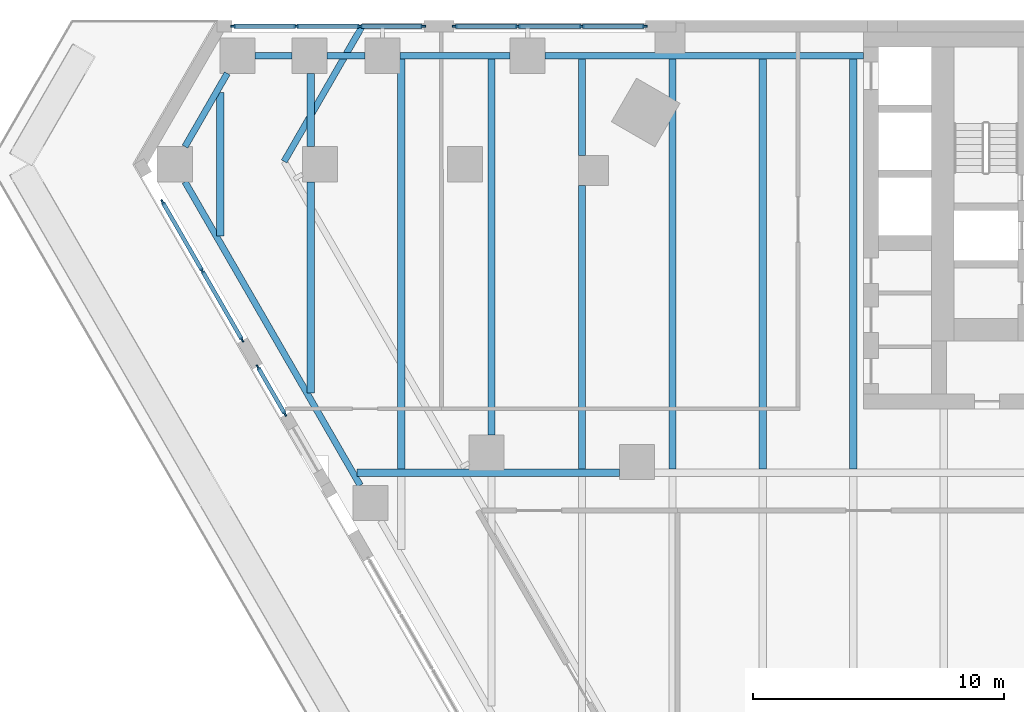
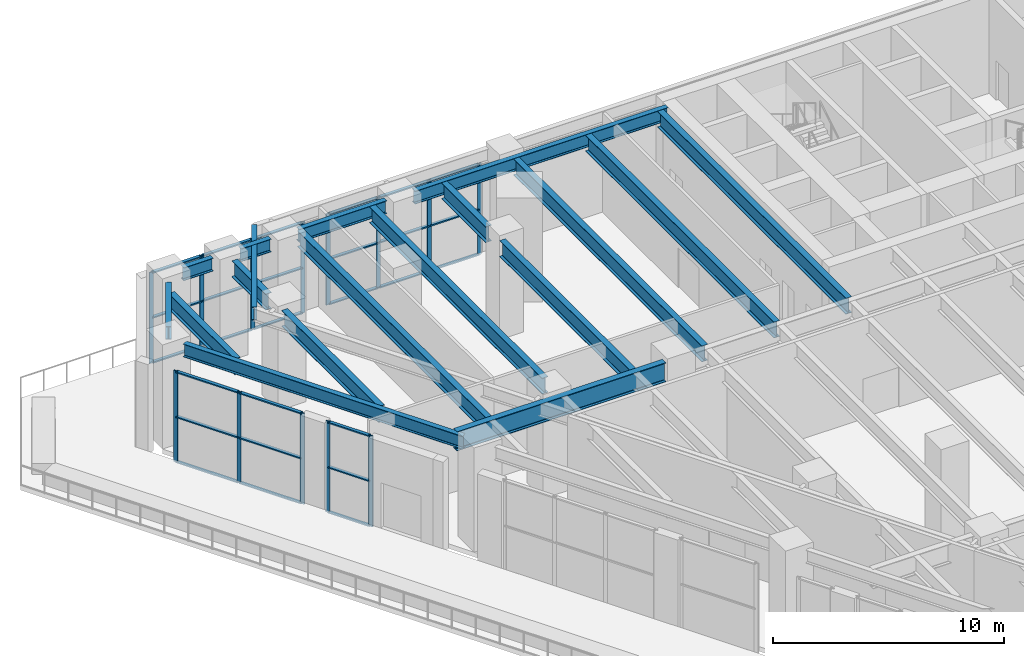
# One storey, part 11 of 30: 40 members, 18 beams, 4 elements without a shape of their own.
"""IFC4 building model written with IfcOpenShell, lengths in metres."""

from ifc_helpers import new_model, si_unit, direction, frame, origin, origin_2d, place, context, subcontext, project, spatial, rectangle, i_section, extrude, material, material_profile, profile_set, type_object, element, aggregate, save


model = new_model("IFC4")

# Units and contexts
model_context = context("Model", 3, precision=1e-05, world=origin(), true_north=direction((0.0, 1.0)))
body_context = subcontext(model_context, "Body", "Model", "MODEL_VIEW")
ifc_project = project(units=[si_unit("LENGTHUNIT", "METRE"), si_unit("AREAUNIT", "SQUARE_METRE"), si_unit("VOLUMEUNIT", "CUBIC_METRE"), si_unit("PLANEANGLEUNIT", "RADIAN"), si_unit("MASSUNIT", "GRAM", prefix="KILO")], contexts=[model_context])

# Site, building, storey
site_placement = place(None, origin())
site = spatial("IfcSite", under=ifc_project, at=site_placement, CompositionType="ELEMENT")
building_placement = place(site_placement, origin())
building = spatial("IfcBuilding", under=site, at=building_placement, Name="Aloe Facet Convention Tower", CompositionType="ELEMENT")
storey_placement = place(building_placement, frame((0.0, 0.0, 19.5)))
storey = spatial("IfcBuildingStorey", under=building, at=storey_placement, Name="L03", CompositionType="ELEMENT", Elevation=19.5)

# Beam
ifc_material_1 = material(Name="Steel S355", Category="steel")
ifc_material_profile_1 = material_profile(ifc_material_1, i_section(OverallWidth=0.25439453125, OverallDepth=0.6875, WebThickness=0.01318359375, FlangeThickness=0.02099609375, FilletRadius=0.01513671875, at=origin_2d()), Name="UB 686x254x152")
ifc_profile_set_1 = profile_set([ifc_material_profile_1], Name="Steel S355")
beam_type_1 = type_object("IfcBeamType", Name="EV-EB-UB686x254x152", PredefinedType="BEAM", material=ifc_profile_set_1)
beam_1_placement = place(storey_placement, frame((46.052978515625, 134.77490234375, 4.90625), z_axis=(-0.499986758824, -0.866033048446, 0.0), x_axis=(0.866033048446, -0.499986758824, 0.0)))
element("IfcBeam", 1, at=beam_1_placement, inside=storey, type_object=beam_type_1, Name="EB-L04-A", PredefinedType="BEAM", context=body_context, shape_type="SweptSolid", body=[
    extrude(i_section(OverallWidth=0.25439453125, OverallDepth=0.6875, WebThickness=0.01318359375, FlangeThickness=0.02099609375, FilletRadius=0.01513671875, at=origin_2d()), origin(), (0.0, 0.0, 1.0), 6.210205078125),
])

# Curtain wall, members
ifc_material_2 = material(Name="Aluminium, anodised", Category="aluminium")
curtain_wall_type = type_object("IfcCurtainWallType", Name="EV-CW-HALL", PredefinedType="USERDEFINED", material=ifc_material_2)
curtain_wall_1_placement = place(storey_placement, origin())
curtain_wall_1 = element("IfcCurtainWall", 2, at=curtain_wall_1_placement, inside=storey, type_object=curtain_wall_type, Name="CW-L03-N16", ObjectType="UNITISED HALL GLAZING", PredefinedType="USERDEFINED")
ifc_material_3 = material(Name="Aluminium, anodised", Category="aluminium")
ifc_material_profile_2 = material_profile(ifc_material_3, rectangle(XDim=0.06494140625, YDim=0.199951171875, at=origin_2d()), Name="AL 65x200")
ifc_profile_set_2 = profile_set([ifc_material_profile_2], Name="Aluminium, anodised")
member_type_1 = type_object("IfcMemberType", Name="EV-MULL-HALL", PredefinedType="MULLION", material=ifc_profile_set_2)
member_1_placement = place(storey_placement, frame((57.300537109375, 134.77490234375, -0.25), z_axis=(0.0, 0.0, 1.0), x_axis=(0.0, -1.0, 0.0)))
member_1 = element("IfcMember", 3, at=member_1_placement, type_object=member_type_1, Name="CW-L03-N16 mullion 1", PredefinedType="MULLION", context=body_context, shape_type="SweptSolid", body=[
    extrude(rectangle(XDim=0.06494140625, YDim=0.199951171875, at=origin_2d()), origin(), (0.0, 0.0, 1.0), 4.8125),
])
member_2_placement = place(storey_placement, frame((54.790771484375, 134.77490234375, -0.25), z_axis=(0.0, 0.0, 1.0), x_axis=(0.0, -1.0, 0.0)))
member_2 = element("IfcMember", 4, at=member_2_placement, type_object=member_type_1, Name="CW-L03-N16 mullion 2", PredefinedType="MULLION", context=body_context, shape_type="SweptSolid", body=[
    extrude(rectangle(XDim=0.06494140625, YDim=0.199951171875, at=origin_2d()), origin(), (0.0, 0.0, 1.0), 4.8125),
])
member_3_placement = place(storey_placement, frame((52.24853515625, 134.77490234375, -0.25), z_axis=(0.0, 0.0, 1.0), x_axis=(0.0, -1.0, 0.0)))
member_3 = element("IfcMember", 5, at=member_3_placement, type_object=member_type_1, Name="CW-L03-N16 mullion 3", PredefinedType="MULLION", context=body_context, shape_type="SweptSolid", body=[
    extrude(rectangle(XDim=0.06494140625, YDim=0.199951171875, at=origin_2d()), origin(), (0.0, 0.0, 1.0), 4.8125),
])
member_4_placement = place(storey_placement, frame((49.73876953125, 134.77490234375, -0.25), z_axis=(0.0, 0.0, 1.0), x_axis=(0.0, -1.0, 0.0)))
member_4 = element("IfcMember", 6, at=member_4_placement, type_object=member_type_1, Name="CW-L03-N16 mullion 4", PredefinedType="MULLION", context=body_context, shape_type="SweptSolid", body=[
    extrude(rectangle(XDim=0.06494140625, YDim=0.199951171875, at=origin_2d()), origin(), (0.0, 0.0, 1.0), 4.8125),
])

curtain_wall_2_placement = place(storey_placement, origin())
curtain_wall_2 = element("IfcCurtainWall", 7, at=curtain_wall_2_placement, inside=storey, type_object=curtain_wall_type, Name="CW-L03-N18", ObjectType="UNITISED HALL GLAZING", PredefinedType="USERDEFINED")
member_5_placement = place(storey_placement, frame((48.473876953125, 134.77490234375, -0.25), z_axis=(0.0, 0.0, 1.0), x_axis=(0.0, -1.0, 0.0)))
member_5 = element("IfcMember", 8, at=member_5_placement, type_object=member_type_1, Name="CW-L03-N18 mullion 1", PredefinedType="MULLION", context=body_context, shape_type="SweptSolid", body=[
    extrude(rectangle(XDim=0.06494140625, YDim=0.199951171875, at=origin_2d()), origin(), (0.0, 0.0, 1.0), 4.8125),
])
member_6_placement = place(storey_placement, frame((45.964111328125, 134.77490234375, -0.25), z_axis=(0.0, 0.0, 1.0), x_axis=(0.0, -1.0, 0.0)))
member_6 = element("IfcMember", 9, at=member_6_placement, type_object=member_type_1, Name="CW-L03-N18 mullion 2", PredefinedType="MULLION", context=body_context, shape_type="SweptSolid", body=[
    extrude(rectangle(XDim=0.06494140625, YDim=0.199951171875, at=origin_2d()), origin(), (0.0, 0.0, 1.0), 4.8125),
])
member_7_placement = place(storey_placement, frame((43.421630859375, 134.77490234375, -0.25), z_axis=(0.0, 0.0, 1.0), x_axis=(0.0, -1.0, 0.0)))
member_7 = element("IfcMember", 10, at=member_7_placement, type_object=member_type_1, Name="CW-L03-N18 mullion 3", PredefinedType="MULLION", context=body_context, shape_type="SweptSolid", body=[
    extrude(rectangle(XDim=0.06494140625, YDim=0.199951171875, at=origin_2d()), origin(), (0.0, 0.0, 1.0), 4.8125),
])
member_8_placement = place(storey_placement, frame((40.912109375, 134.77490234375, -0.25), z_axis=(0.0, 0.0, 1.0), x_axis=(0.0, -1.0, 0.0)))
member_8 = element("IfcMember", 11, at=member_8_placement, type_object=member_type_1, Name="CW-L03-N18 mullion 4", PredefinedType="MULLION", context=body_context, shape_type="SweptSolid", body=[
    extrude(rectangle(XDim=0.06494140625, YDim=0.199951171875, at=origin_2d()), origin(), (0.0, 0.0, 1.0), 4.8125),
])

curtain_wall_3_placement = place(storey_placement, origin())
curtain_wall_3 = element("IfcCurtainWall", 12, at=curtain_wall_3_placement, inside=storey, type_object=curtain_wall_type, Name="CW-L03-W02", ObjectType="UNITISED HALL GLAZING", PredefinedType="USERDEFINED")
member_9_placement = place(storey_placement, frame((38.107177734375, 127.78125, -0.25), z_axis=(0.0, 0.0, 1.0), x_axis=(0.866025403846, 0.499999999894, 0.0)))
member_9 = element("IfcMember", 13, at=member_9_placement, type_object=member_type_1, Name="CW-L03-W02 mullion 1", PredefinedType="MULLION", context=body_context, shape_type="SweptSolid", body=[
    extrude(rectangle(XDim=0.06494140625, YDim=0.199951171875, at=origin_2d()), origin(), (0.0, 0.0, 1.0), 4.8125),
])
member_10_placement = place(storey_placement, frame((39.689208984375, 125.040771484375, -0.25), z_axis=(0.0, 0.0, 1.0), x_axis=(0.866025403846, 0.499999999894, 0.0)))
member_10 = element("IfcMember", 14, at=member_10_placement, type_object=member_type_1, Name="CW-L03-W02 mullion 2", PredefinedType="MULLION", context=body_context, shape_type="SweptSolid", body=[
    extrude(rectangle(XDim=0.06494140625, YDim=0.199951171875, at=origin_2d()), origin(), (0.0, 0.0, 1.0), 4.8125),
])
member_11_placement = place(storey_placement, frame((41.271484375, 122.30029296875, -0.25), z_axis=(0.0, 0.0, 1.0), x_axis=(0.866025403846, 0.499999999894, 0.0)))
member_11 = element("IfcMember", 15, at=member_11_placement, type_object=member_type_1, Name="CW-L03-W02 mullion 3", PredefinedType="MULLION", context=body_context, shape_type="SweptSolid", body=[
    extrude(rectangle(XDim=0.06494140625, YDim=0.199951171875, at=origin_2d()), origin(), (0.0, 0.0, 1.0), 4.8125),
])

curtain_wall_4_placement = place(storey_placement, origin())
curtain_wall_4 = element("IfcCurtainWall", 16, at=curtain_wall_4_placement, inside=storey, type_object=curtain_wall_type, Name="CW-L03-W04A", ObjectType="UNITISED HALL GLAZING", PredefinedType="USERDEFINED")
member_12_placement = place(storey_placement, frame((41.904052734375, 121.204833984375, -0.25), z_axis=(0.0, 0.0, 1.0), x_axis=(0.866025403767, 0.50000000003, 0.0)))
member_12 = element("IfcMember", 17, at=member_12_placement, type_object=member_type_1, Name="CW-L03-W04A mullion 1", PredefinedType="MULLION", context=body_context, shape_type="SweptSolid", body=[
    extrude(rectangle(XDim=0.06494140625, YDim=0.199951171875, at=origin_2d()), origin(), (0.0, 0.0, 1.0), 4.8125),
])
member_13_placement = place(storey_placement, frame((42.978271484375, 119.34423828125, -0.25), z_axis=(0.0, 0.0, 1.0), x_axis=(0.866025403767, 0.50000000003, 0.0)))
member_13 = element("IfcMember", 18, at=member_13_placement, type_object=member_type_1, Name="CW-L03-W04A mullion 2", PredefinedType="MULLION", context=body_context, shape_type="SweptSolid", body=[
    extrude(rectangle(XDim=0.06494140625, YDim=0.199951171875, at=origin_2d()), origin(), (0.0, 0.0, 1.0), 4.8125),
])

# Member
ifc_material_4 = material(Name="Aluminium, anodised", Category="aluminium")
ifc_material_profile_3 = material_profile(ifc_material_4, rectangle(XDim=0.159912109375, YDim=0.06494140625, at=origin_2d()), Name="AL 160x65")
ifc_profile_set_3 = profile_set([ifc_material_profile_3], Name="Aluminium, anodised")
member_type_2 = type_object("IfcMemberType", Name="EV-TRAN-HALL", PredefinedType="USERDEFINED", material=ifc_profile_set_3)
member_14_placement = place(storey_placement, frame((57.26806640625, 134.77490234375, -0.217529296875), z_axis=(-1.0, 0.0, 0.0), x_axis=(0.0, -1.0, 0.0)))
member_14 = element("IfcMember", 19, at=member_14_placement, type_object=member_type_2, Name="CW-L03-N16 transom 1.1", ObjectType="TRANSOM", PredefinedType="USERDEFINED", context=body_context, shape_type="SweptSolid", body=[
    extrude(rectangle(XDim=0.159912109375, YDim=0.06494140625, at=origin_2d()), origin(), (0.0, 0.0, 1.0), 2.44482421875),
])

member_15_placement = place(storey_placement, frame((57.26806640625, 134.77490234375, 2.15625), z_axis=(-1.0, 0.0, 0.0), x_axis=(0.0, -1.0, 0.0)))
member_15 = element("IfcMember", 20, at=member_15_placement, type_object=member_type_2, Name="CW-L03-N16 transom 1.2", ObjectType="TRANSOM", PredefinedType="USERDEFINED", context=body_context, shape_type="SweptSolid", body=[
    extrude(rectangle(XDim=0.159912109375, YDim=0.06494140625, at=origin_2d()), origin(), (0.0, 0.0, 1.0), 2.44482421875),
])

member_16_placement = place(storey_placement, frame((57.26806640625, 134.77490234375, 4.530029296875), z_axis=(-1.0, 0.0, 0.0), x_axis=(0.0, -1.0, 0.0)))
member_16 = element("IfcMember", 21, at=member_16_placement, type_object=member_type_2, Name="CW-L03-N16 transom 1.3", ObjectType="TRANSOM", PredefinedType="USERDEFINED", context=body_context, shape_type="SweptSolid", body=[
    extrude(rectangle(XDim=0.159912109375, YDim=0.06494140625, at=origin_2d()), origin(), (0.0, 0.0, 1.0), 2.44482421875),
])

member_17_placement = place(storey_placement, frame((54.75830078125, 134.77490234375, -0.217529296875), z_axis=(-1.0, 0.0, 0.0), x_axis=(0.0, -1.0, 0.0)))
member_17 = element("IfcMember", 22, at=member_17_placement, type_object=member_type_2, Name="CW-L03-N16 transom 2.1", ObjectType="TRANSOM", PredefinedType="USERDEFINED", context=body_context, shape_type="SweptSolid", body=[
    extrude(rectangle(XDim=0.159912109375, YDim=0.06494140625, at=origin_2d()), origin(), (0.0, 0.0, 1.0), 2.477294921875),
])

member_18_placement = place(storey_placement, frame((54.75830078125, 134.77490234375, 2.15625), z_axis=(-1.0, 0.0, 0.0), x_axis=(0.0, -1.0, 0.0)))
member_18 = element("IfcMember", 23, at=member_18_placement, type_object=member_type_2, Name="CW-L03-N16 transom 2.2", ObjectType="TRANSOM", PredefinedType="USERDEFINED", context=body_context, shape_type="SweptSolid", body=[
    extrude(rectangle(XDim=0.159912109375, YDim=0.06494140625, at=origin_2d()), origin(), (0.0, 0.0, 1.0), 2.477294921875),
])

member_19_placement = place(storey_placement, frame((54.75830078125, 134.77490234375, 4.530029296875), z_axis=(-1.0, 0.0, 0.0), x_axis=(0.0, -1.0, 0.0)))
member_19 = element("IfcMember", 24, at=member_19_placement, type_object=member_type_2, Name="CW-L03-N16 transom 2.3", ObjectType="TRANSOM", PredefinedType="USERDEFINED", context=body_context, shape_type="SweptSolid", body=[
    extrude(rectangle(XDim=0.159912109375, YDim=0.06494140625, at=origin_2d()), origin(), (0.0, 0.0, 1.0), 2.477294921875),
])

member_20_placement = place(storey_placement, frame((52.216064453125, 134.77490234375, -0.217529296875), z_axis=(-1.0, 0.0, 0.0), x_axis=(0.0, -1.0, 0.0)))
member_20 = element("IfcMember", 25, at=member_20_placement, type_object=member_type_2, Name="CW-L03-N16 transom 3.1", ObjectType="TRANSOM", PredefinedType="USERDEFINED", context=body_context, shape_type="SweptSolid", body=[
    extrude(rectangle(XDim=0.159912109375, YDim=0.06494140625, at=origin_2d()), origin(), (0.0, 0.0, 1.0), 2.44482421875),
])

member_21_placement = place(storey_placement, frame((52.216064453125, 134.77490234375, 2.15625), z_axis=(-1.0, 0.0, 0.0), x_axis=(0.0, -1.0, 0.0)))
member_21 = element("IfcMember", 26, at=member_21_placement, type_object=member_type_2, Name="CW-L03-N16 transom 3.2", ObjectType="TRANSOM", PredefinedType="USERDEFINED", context=body_context, shape_type="SweptSolid", body=[
    extrude(rectangle(XDim=0.159912109375, YDim=0.06494140625, at=origin_2d()), origin(), (0.0, 0.0, 1.0), 2.44482421875),
])

member_22_placement = place(storey_placement, frame((52.216064453125, 134.77490234375, 4.530029296875), z_axis=(-1.0, 0.0, 0.0), x_axis=(0.0, -1.0, 0.0)))
member_22 = element("IfcMember", 27, at=member_22_placement, type_object=member_type_2, Name="CW-L03-N16 transom 3.3", ObjectType="TRANSOM", PredefinedType="USERDEFINED", context=body_context, shape_type="SweptSolid", body=[
    extrude(rectangle(XDim=0.159912109375, YDim=0.06494140625, at=origin_2d()), origin(), (0.0, 0.0, 1.0), 2.44482421875),
])

aggregate(curtain_wall_1, [member_1, member_2, member_3, member_4, member_14, member_15, member_16, member_17, member_18, member_19, member_20, member_21, member_22])

member_23_placement = place(storey_placement, frame((48.441162109375, 134.77490234375, -0.217529296875), z_axis=(-1.0, 0.0, 0.0), x_axis=(0.0, -1.0, 0.0)))
member_23 = element("IfcMember", 28, at=member_23_placement, type_object=member_type_2, Name="CW-L03-N18 transom 1.1", ObjectType="TRANSOM", PredefinedType="USERDEFINED", context=body_context, shape_type="SweptSolid", body=[
    extrude(rectangle(XDim=0.159912109375, YDim=0.06494140625, at=origin_2d()), origin(), (0.0, 0.0, 1.0), 2.444580078125),
])

member_24_placement = place(storey_placement, frame((48.441162109375, 134.77490234375, 2.15625), z_axis=(-1.0, 0.0, 0.0), x_axis=(0.0, -1.0, 0.0)))
member_24 = element("IfcMember", 29, at=member_24_placement, type_object=member_type_2, Name="CW-L03-N18 transom 1.2", ObjectType="TRANSOM", PredefinedType="USERDEFINED", context=body_context, shape_type="SweptSolid", body=[
    extrude(rectangle(XDim=0.159912109375, YDim=0.06494140625, at=origin_2d()), origin(), (0.0, 0.0, 1.0), 2.444580078125),
])

member_25_placement = place(storey_placement, frame((48.441162109375, 134.77490234375, 4.530029296875), z_axis=(-1.0, 0.0, 0.0), x_axis=(0.0, -1.0, 0.0)))
member_25 = element("IfcMember", 30, at=member_25_placement, type_object=member_type_2, Name="CW-L03-N18 transom 1.3", ObjectType="TRANSOM", PredefinedType="USERDEFINED", context=body_context, shape_type="SweptSolid", body=[
    extrude(rectangle(XDim=0.159912109375, YDim=0.06494140625, at=origin_2d()), origin(), (0.0, 0.0, 1.0), 2.444580078125),
])

member_26_placement = place(storey_placement, frame((45.931396484375, 134.77490234375, -0.217529296875), z_axis=(-1.0, 0.0, 0.0), x_axis=(0.0, -1.0, 0.0)))
member_26 = element("IfcMember", 31, at=member_26_placement, type_object=member_type_2, Name="CW-L03-N18 transom 2.1", ObjectType="TRANSOM", PredefinedType="USERDEFINED", context=body_context, shape_type="SweptSolid", body=[
    extrude(rectangle(XDim=0.159912109375, YDim=0.06494140625, at=origin_2d()), origin(), (0.0, 0.0, 1.0), 2.47705078125),
])

member_27_placement = place(storey_placement, frame((45.931396484375, 134.77490234375, 2.15625), z_axis=(-1.0, 0.0, 0.0), x_axis=(0.0, -1.0, 0.0)))
member_27 = element("IfcMember", 32, at=member_27_placement, type_object=member_type_2, Name="CW-L03-N18 transom 2.2", ObjectType="TRANSOM", PredefinedType="USERDEFINED", context=body_context, shape_type="SweptSolid", body=[
    extrude(rectangle(XDim=0.159912109375, YDim=0.06494140625, at=origin_2d()), origin(), (0.0, 0.0, 1.0), 2.47705078125),
])

member_28_placement = place(storey_placement, frame((45.931396484375, 134.77490234375, 4.530029296875), z_axis=(-1.0, 0.0, 0.0), x_axis=(0.0, -1.0, 0.0)))
member_28 = element("IfcMember", 33, at=member_28_placement, type_object=member_type_2, Name="CW-L03-N18 transom 2.3", ObjectType="TRANSOM", PredefinedType="USERDEFINED", context=body_context, shape_type="SweptSolid", body=[
    extrude(rectangle(XDim=0.159912109375, YDim=0.06494140625, at=origin_2d()), origin(), (0.0, 0.0, 1.0), 2.47705078125),
])

member_29_placement = place(storey_placement, frame((43.38916015625, 134.77490234375, -0.217529296875), z_axis=(-1.0, 0.0, 0.0), x_axis=(0.0, -1.0, 0.0)))
member_29 = element("IfcMember", 34, at=member_29_placement, type_object=member_type_2, Name="CW-L03-N18 transom 3.1", ObjectType="TRANSOM", PredefinedType="USERDEFINED", context=body_context, shape_type="SweptSolid", body=[
    extrude(rectangle(XDim=0.159912109375, YDim=0.06494140625, at=origin_2d()), origin(), (0.0, 0.0, 1.0), 2.444580078125),
])

member_30_placement = place(storey_placement, frame((43.38916015625, 134.77490234375, 2.15625), z_axis=(-1.0, 0.0, 0.0), x_axis=(0.0, -1.0, 0.0)))
member_30 = element("IfcMember", 35, at=member_30_placement, type_object=member_type_2, Name="CW-L03-N18 transom 3.2", ObjectType="TRANSOM", PredefinedType="USERDEFINED", context=body_context, shape_type="SweptSolid", body=[
    extrude(rectangle(XDim=0.159912109375, YDim=0.06494140625, at=origin_2d()), origin(), (0.0, 0.0, 1.0), 2.444580078125),
])

member_31_placement = place(storey_placement, frame((43.38916015625, 134.77490234375, 4.530029296875), z_axis=(-1.0, 0.0, 0.0), x_axis=(0.0, -1.0, 0.0)))
member_31 = element("IfcMember", 36, at=member_31_placement, type_object=member_type_2, Name="CW-L03-N18 transom 3.3", ObjectType="TRANSOM", PredefinedType="USERDEFINED", context=body_context, shape_type="SweptSolid", body=[
    extrude(rectangle(XDim=0.159912109375, YDim=0.06494140625, at=origin_2d()), origin(), (0.0, 0.0, 1.0), 2.444580078125),
])

aggregate(curtain_wall_2, [member_5, member_6, member_7, member_8, member_23, member_24, member_25, member_26, member_27, member_28, member_29, member_30, member_31])

member_32_placement = place(storey_placement, frame((38.123291015625, 127.7529296875, -0.217529296875), z_axis=(0.500036104519, -0.866004557827, 0.0), x_axis=(0.866004557827, 0.500036104519, 0.0)))
member_32 = element("IfcMember", 37, at=member_32_placement, type_object=member_type_2, Name="CW-L03-W02 transom 1.1", ObjectType="TRANSOM", PredefinedType="USERDEFINED", context=body_context, shape_type="SweptSolid", body=[
    extrude(rectangle(XDim=0.159912109375, YDim=0.06494140625, at=origin_2d()), origin(), (0.0, 0.0, 1.0), 3.099365234375),
])

member_33_placement = place(storey_placement, frame((38.123291015625, 127.7529296875, 2.15625), z_axis=(0.500036104519, -0.866004557827, 0.0), x_axis=(0.866004557827, 0.500036104519, 0.0)))
member_33 = element("IfcMember", 38, at=member_33_placement, type_object=member_type_2, Name="CW-L03-W02 transom 1.2", ObjectType="TRANSOM", PredefinedType="USERDEFINED", context=body_context, shape_type="SweptSolid", body=[
    extrude(rectangle(XDim=0.159912109375, YDim=0.06494140625, at=origin_2d()), origin(), (0.0, 0.0, 1.0), 3.099365234375),
])

member_34_placement = place(storey_placement, frame((38.123291015625, 127.7529296875, 4.530029296875), z_axis=(0.500036104519, -0.866004557827, 0.0), x_axis=(0.866004557827, 0.500036104519, 0.0)))
member_34 = element("IfcMember", 39, at=member_34_placement, type_object=member_type_2, Name="CW-L03-W02 transom 1.3", ObjectType="TRANSOM", PredefinedType="USERDEFINED", context=body_context, shape_type="SweptSolid", body=[
    extrude(rectangle(XDim=0.159912109375, YDim=0.06494140625, at=origin_2d()), origin(), (0.0, 0.0, 1.0), 3.099365234375),
])

member_35_placement = place(storey_placement, frame((39.70556640625, 125.0126953125, -0.217529296875), z_axis=(0.499942918831, -0.866058357105, 0.0), x_axis=(0.866058357105, 0.499942918831, 0.0)))
member_35 = element("IfcMember", 40, at=member_35_placement, type_object=member_type_2, Name="CW-L03-W02 transom 2.1", ObjectType="TRANSOM", PredefinedType="USERDEFINED", context=body_context, shape_type="SweptSolid", body=[
    extrude(rectangle(XDim=0.159912109375, YDim=0.06494140625, at=origin_2d()), origin(), (0.0, 0.0, 1.0), 3.099365234375),
])

member_36_placement = place(storey_placement, frame((39.70556640625, 125.0126953125, 2.15625), z_axis=(0.499942918831, -0.866058357105, 0.0), x_axis=(0.866058357105, 0.499942918831, 0.0)))
member_36 = element("IfcMember", 41, at=member_36_placement, type_object=member_type_2, Name="CW-L03-W02 transom 2.2", ObjectType="TRANSOM", PredefinedType="USERDEFINED", context=body_context, shape_type="SweptSolid", body=[
    extrude(rectangle(XDim=0.159912109375, YDim=0.06494140625, at=origin_2d()), origin(), (0.0, 0.0, 1.0), 3.099365234375),
])

member_37_placement = place(storey_placement, frame((39.70556640625, 125.0126953125, 4.530029296875), z_axis=(0.499942918831, -0.866058357105, 0.0), x_axis=(0.866058357105, 0.499942918831, 0.0)))
member_37 = element("IfcMember", 42, at=member_37_placement, type_object=member_type_2, Name="CW-L03-W02 transom 2.3", ObjectType="TRANSOM", PredefinedType="USERDEFINED", context=body_context, shape_type="SweptSolid", body=[
    extrude(rectangle(XDim=0.159912109375, YDim=0.06494140625, at=origin_2d()), origin(), (0.0, 0.0, 1.0), 3.099365234375),
])

aggregate(curtain_wall_3, [member_9, member_10, member_11, member_32, member_33, member_34, member_35, member_36, member_37])

member_38_placement = place(storey_placement, frame((41.920166015625, 121.176513671875, -0.217529296875), z_axis=(0.500033530467, -0.866006044095, 0.0), x_axis=(0.866006044095, 0.500033530467, 0.0)))
member_38 = element("IfcMember", 43, at=member_38_placement, type_object=member_type_2, Name="CW-L03-W04A transom 1.1", ObjectType="TRANSOM", PredefinedType="USERDEFINED", context=body_context, shape_type="SweptSolid", body=[
    extrude(rectangle(XDim=0.159912109375, YDim=0.06494140625, at=origin_2d()), origin(), (0.0, 0.0, 1.0), 2.083251953125),
])

member_39_placement = place(storey_placement, frame((41.920166015625, 121.176513671875, 2.15625), z_axis=(0.500033530467, -0.866006044095, 0.0), x_axis=(0.866006044095, 0.500033530467, 0.0)))
member_39 = element("IfcMember", 44, at=member_39_placement, type_object=member_type_2, Name="CW-L03-W04A transom 1.2", ObjectType="TRANSOM", PredefinedType="USERDEFINED", context=body_context, shape_type="SweptSolid", body=[
    extrude(rectangle(XDim=0.159912109375, YDim=0.06494140625, at=origin_2d()), origin(), (0.0, 0.0, 1.0), 2.083251953125),
])

member_40_placement = place(storey_placement, frame((41.920166015625, 121.176513671875, 4.530029296875), z_axis=(0.500033530467, -0.866006044095, 0.0), x_axis=(0.866006044095, 0.500033530467, 0.0)))
member_40 = element("IfcMember", 45, at=member_40_placement, type_object=member_type_2, Name="CW-L03-W04A transom 1.3", ObjectType="TRANSOM", PredefinedType="USERDEFINED", context=body_context, shape_type="SweptSolid", body=[
    extrude(rectangle(XDim=0.159912109375, YDim=0.06494140625, at=origin_2d()), origin(), (0.0, 0.0, 1.0), 2.083251953125),
])

aggregate(curtain_wall_4, [member_12, member_13, member_38, member_39, member_40])

# Beams
ifc_material_5 = material(Name="Steel S355", Category="steel")
ifc_material_profile_4 = material_profile(ifc_material_5, i_section(OverallWidth=0.305419921875, OverallDepth=1.02587890625, WebThickness=0.02001953125, FlangeThickness=0.031005859375, FilletRadius=0.030029296875, at=origin_2d()), Name="UB 1016x305x349")
ifc_profile_set_4 = profile_set([ifc_material_profile_4], Name="Steel S355")
beam_type_2 = type_object("IfcBeamType", Name="SF-B-UB1016x305x349", PredefinedType="BEAM", material=ifc_profile_set_4)
beam_2_placement = place(storey_placement, frame((45.84521484375, 117.0, 4.737060546875), z_axis=(1.0, 0.0, 0.0), x_axis=(0.0, 1.0, 0.0)))
element("IfcBeam", 46, at=beam_2_placement, inside=storey, type_object=beam_type_2, Name="Floor beam FB-L04-022", PredefinedType="BEAM", context=body_context, shape_type="SweptSolid", body=[
    extrude(i_section(OverallWidth=0.305419921875, OverallDepth=1.02587890625, WebThickness=0.02001953125, FlangeThickness=0.031005859375, FilletRadius=0.030029296875, at=origin_2d()), origin(), (0.0, 0.0, 1.0), 10.438720703125),
])
ifc_material_6 = material(Name="Steel S355", Category="steel")
ifc_material_profile_5 = material_profile(ifc_material_6, i_section(OverallWidth=0.25439453125, OverallDepth=0.6875, WebThickness=0.01318359375, FlangeThickness=0.02099609375, FilletRadius=0.01513671875, at=origin_2d()), Name="UB 686x254x152")
ifc_profile_set_5 = profile_set([ifc_material_profile_5], Name="Steel S355")
beam_type_3 = type_object("IfcBeamType", Name="SF-B-UB686x254x152", PredefinedType="BEAM", material=ifc_profile_set_5)
beam_3_placement = place(storey_placement, frame((39.0, 129.98388671875, 4.90625), z_axis=(0.500006981563, 0.86602137294, 0.0), x_axis=(-0.86602137294, 0.500006981563, 0.0)))
element("IfcBeam", 47, at=beam_3_placement, inside=storey, type_object=beam_type_3, Name="Floor beam FB-L04-001", PredefinedType="BEAM", context=body_context, shape_type="SweptSolid", body=[
    extrude(i_section(OverallWidth=0.25439453125, OverallDepth=0.6875, WebThickness=0.01318359375, FlangeThickness=0.02099609375, FilletRadius=0.01513671875, at=origin_2d()), origin(), (0.0, 0.0, 1.0), 3.3671875),
])
beam_4_placement = place(storey_placement, frame((41.7880859375, 133.60009765625, 4.90625), z_axis=(1.0, 0.0, 0.0), x_axis=(0.0, 1.0, 0.0)))
element("IfcBeam", 48, at=beam_4_placement, inside=storey, type_object=beam_type_3, Name="Floor beam FB-L04-002", PredefinedType="BEAM", context=body_context, shape_type="SweptSolid", body=[
    extrude(i_section(OverallWidth=0.25439453125, OverallDepth=0.6875, WebThickness=0.01318359375, FlangeThickness=0.02099609375, FilletRadius=0.01513671875, at=origin_2d()), origin(), (0.0, 0.0, 1.0), 1.469970703125),
])
beam_5_placement = place(storey_placement, frame((44.657958984375, 133.60009765625, 4.90625), z_axis=(1.0, 0.0, 0.0), x_axis=(0.0, 1.0, 0.0)))
element("IfcBeam", 49, at=beam_5_placement, inside=storey, type_object=beam_type_3, Name="Floor beam FB-L04-003", PredefinedType="BEAM", context=body_context, shape_type="SweptSolid", body=[
    extrude(i_section(OverallWidth=0.25439453125, OverallDepth=0.6875, WebThickness=0.01318359375, FlangeThickness=0.02099609375, FilletRadius=0.01513671875, at=origin_2d()), origin(), (0.0, 0.0, 1.0), 1.5029296875),
])
beam_6_placement = place(storey_placement, frame((45.97412109375, 116.5048828125, 4.90625), z_axis=(-0.499987109246, 0.866032846137, 0.0), x_axis=(-0.866032846137, -0.499987109246, 0.0)))
element("IfcBeam", 50, at=beam_6_placement, inside=storey, type_object=beam_type_3, Name="Floor beam FB-L04-004", PredefinedType="BEAM", context=body_context, shape_type="SweptSolid", body=[
    extrude(i_section(OverallWidth=0.25439453125, OverallDepth=0.6875, WebThickness=0.01318359375, FlangeThickness=0.02099609375, FilletRadius=0.01513671875, at=origin_2d()), origin(), (0.0, 0.0, 1.0), 13.947509765625),
])
beam_7_placement = place(storey_placement, frame((47.56103515625, 133.60009765625, 4.90625), z_axis=(1.0, 0.0, 0.0), x_axis=(0.0, 1.0, 0.0)))
element("IfcBeam", 51, at=beam_7_placement, inside=storey, type_object=beam_type_3, Name="Floor beam FB-L04-005", PredefinedType="BEAM", context=body_context, shape_type="SweptSolid", body=[
    extrude(i_section(OverallWidth=0.25439453125, OverallDepth=0.6875, WebThickness=0.01318359375, FlangeThickness=0.02099609375, FilletRadius=0.01513671875, at=origin_2d()), origin(), (0.0, 0.0, 1.0), 4.3740234375),
])
beam_8_placement = place(storey_placement, frame((53.3349609375, 133.60009765625, 4.90625), z_axis=(1.0, 0.0, 0.0), x_axis=(0.0, 1.0, 0.0)))
element("IfcBeam", 52, at=beam_8_placement, inside=storey, type_object=beam_type_3, Name="Floor beam FB-L04-006", PredefinedType="BEAM", context=body_context, shape_type="SweptSolid", body=[
    extrude(i_section(OverallWidth=0.25439453125, OverallDepth=0.6875, WebThickness=0.01318359375, FlangeThickness=0.02099609375, FilletRadius=0.01513671875, at=origin_2d()), origin(), (0.0, 0.0, 1.0), 12.6650390625),
])
ifc_material_7 = material(Name="Steel S355", Category="steel")
ifc_material_profile_6 = material_profile(ifc_material_7, i_section(OverallWidth=0.293701171875, OverallDepth=0.850830078125, WebThickness=0.01611328125, FlangeThickness=0.02685546875, FilletRadius=0.017822265625, at=origin_2d()), Name="UB 838x292x226")
ifc_profile_set_6 = profile_set([ifc_material_profile_6], Name="Steel S355")
beam_type_4 = type_object("IfcBeamType", Name="SF-B-UB838x292x226", PredefinedType="BEAM", material=ifc_profile_set_6)
beam_9_placement = place(storey_placement, frame((40.39990234375, 126.42431640625, 4.824462890625), z_axis=(0.0, 1.0, 0.0), x_axis=(-1.0, 0.0, 0.0)))
element("IfcBeam", 53, at=beam_9_placement, inside=storey, type_object=beam_type_4, Name="Floor beam FB-L04-034", PredefinedType="BEAM", context=body_context, shape_type="SweptSolid", body=[
    extrude(i_section(OverallWidth=0.293701171875, OverallDepth=0.850830078125, WebThickness=0.01611328125, FlangeThickness=0.02685546875, FilletRadius=0.017822265625, at=origin_2d()), origin(), (0.0, 0.0, 1.0), 5.719970703125),
])
beam_10_placement = place(storey_placement, frame((44.0, 120.18896484375, 4.824462890625), z_axis=(0.0, 1.0, 0.0), x_axis=(-1.0, 0.0, 0.0)))
element("IfcBeam", 54, at=beam_10_placement, inside=storey, type_object=beam_type_4, Name="Floor beam FB-L04-035", PredefinedType="BEAM", context=body_context, shape_type="SweptSolid", body=[
    extrude(i_section(OverallWidth=0.293701171875, OverallDepth=0.850830078125, WebThickness=0.01611328125, FlangeThickness=0.02685546875, FilletRadius=0.017822265625, at=origin_2d()), origin(), (0.0, 0.0, 1.0), 8.39501953125),
])
beam_11_placement = place(storey_placement, frame((44.0, 129.98388671875, 4.824462890625), z_axis=(0.0, 1.0, 0.0), x_axis=(-1.0, 0.0, 0.0)))
element("IfcBeam", 55, at=beam_11_placement, inside=storey, type_object=beam_type_4, Name="Floor beam FB-L04-036", PredefinedType="BEAM", context=body_context, shape_type="SweptSolid", body=[
    extrude(i_section(OverallWidth=0.293701171875, OverallDepth=0.850830078125, WebThickness=0.01611328125, FlangeThickness=0.02685546875, FilletRadius=0.017822265625, at=origin_2d()), origin(), (0.0, 0.0, 1.0), 2.916015625),
])
beam_12_placement = place(storey_placement, frame((47.60009765625, 117.152587890625, 4.824462890625), z_axis=(0.0, 1.0, 0.0), x_axis=(-1.0, 0.0, 0.0)))
element("IfcBeam", 56, at=beam_12_placement, inside=storey, type_object=beam_type_4, Name="Floor beam FB-L04-038", PredefinedType="BEAM", context=body_context, shape_type="SweptSolid", body=[
    extrude(i_section(OverallWidth=0.293701171875, OverallDepth=0.850830078125, WebThickness=0.01611328125, FlangeThickness=0.02685546875, FilletRadius=0.017822265625, at=origin_2d()), origin(), (0.0, 0.0, 1.0), 16.31005859375),
])
beam_13_placement = place(storey_placement, frame((51.199951171875, 118.5048828125, 4.824462890625), z_axis=(0.0, 1.0, 0.0), x_axis=(-1.0, 0.0, 0.0)))
element("IfcBeam", 57, at=beam_13_placement, inside=storey, type_object=beam_type_4, Name="Floor beam FB-L04-040", PredefinedType="BEAM", context=body_context, shape_type="SweptSolid", body=[
    extrude(i_section(OverallWidth=0.293701171875, OverallDepth=0.850830078125, WebThickness=0.01611328125, FlangeThickness=0.02685546875, FilletRadius=0.017822265625, at=origin_2d()), origin(), (0.0, 0.0, 1.0), 14.957763671875),
])
beam_14_placement = place(storey_placement, frame((54.800048828125, 117.152587890625, 4.824462890625), z_axis=(0.0, 1.0, 0.0), x_axis=(-1.0, 0.0, 0.0)))
element("IfcBeam", 58, at=beam_14_placement, inside=storey, type_object=beam_type_4, Name="Floor beam FB-L04-042", PredefinedType="BEAM", context=body_context, shape_type="SweptSolid", body=[
    extrude(i_section(OverallWidth=0.293701171875, OverallDepth=0.850830078125, WebThickness=0.01611328125, FlangeThickness=0.02685546875, FilletRadius=0.017822265625, at=origin_2d()), origin(), (0.0, 0.0, 1.0), 11.275390625),
])
beam_15_placement = place(storey_placement, frame((54.800048828125, 129.6279296875, 4.824462890625), z_axis=(0.0, 1.0, 0.0), x_axis=(-1.0, 0.0, 0.0)))
element("IfcBeam", 59, at=beam_15_placement, inside=storey, type_object=beam_type_4, Name="Floor beam FB-L04-043", PredefinedType="BEAM", context=body_context, shape_type="SweptSolid", body=[
    extrude(i_section(OverallWidth=0.293701171875, OverallDepth=0.850830078125, WebThickness=0.01611328125, FlangeThickness=0.02685546875, FilletRadius=0.017822265625, at=origin_2d()), origin(), (0.0, 0.0, 1.0), 3.834716796875),
])
for number, where, z_axis, x_axis, name in (
    (60, (58.39990234375, 117.152587890625, 4.824462890625), (0.0, 1.0, 0.0), (-1.0, 0.0, 0.0), "Floor beam FB-L04-046"),
    (61, (62.0, 117.152587890625, 4.824462890625), (0.0, 1.0, 0.0), (-1.0, 0.0, 0.0), "Floor beam FB-L04-049"),
    (62, (65.60009765625, 117.152587890625, 4.824462890625), (0.0, 1.0, 0.0), (-1.0, 0.0, 0.0), "Floor beam FB-L04-052"),
):
    element("IfcBeam", number, at=place(storey_placement, frame(where, z_axis=z_axis, x_axis=x_axis)), inside=storey, type_object=beam_type_4, Name=name, PredefinedType="BEAM", context=body_context, shape_type="SweptSolid", body=[
        extrude(i_section(OverallWidth=0.293701171875, OverallDepth=0.850830078125, WebThickness=0.01611328125, FlangeThickness=0.02685546875, FilletRadius=0.017822265625, at=origin_2d()), origin(), (0.0, 0.0, 1.0), 16.31005859375),
    ])

save(model, "model.ifc")
